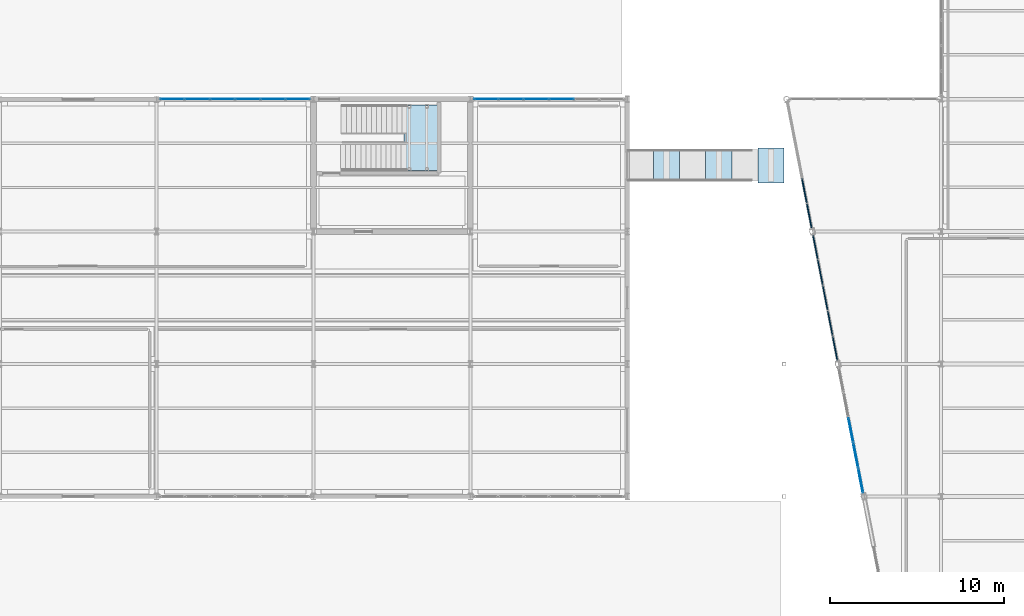
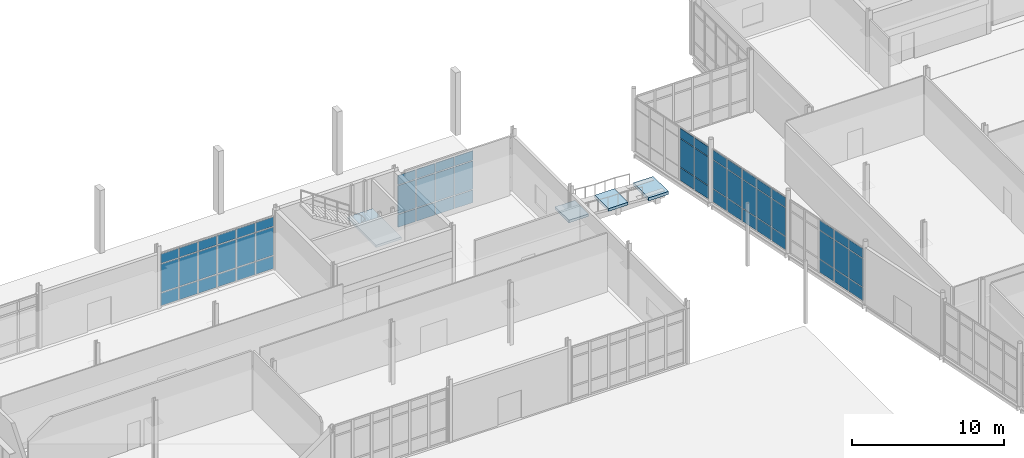
# One storey, part 130 of 161: 60 plates, 4 slabs, 7 elements without a shape of their own.
"""IFC4 building model written with IfcOpenShell, lengths in metres."""

import ifcopenshell
import ifcopenshell.guid

model = None  # the IFC model being written
_history = None  # IfcOwnerHistory: only IFC2X3 demands one
_inside = {}  # id of a spatial element -> (the spatial element, [elements in it])
_under = {}  # id of a project, library or spatial element -> (it, [spatial elements below it])
_declared = {}  # id of a project -> (the project, [libraries it declares])
_typed = {}  # id of a type object -> (the type object, [elements of that type])
_made_of = {}  # id of a material, layer set ... -> (it, [elements and type objects made of it])


def new_model(schema):
    """Start an empty IFC model of exactly this schema.

    Asked for "IFC4X3", IfcOpenShell would pick the latest addendum, in which some entities
    have other attributes; the version numbers below select the first issue.
    IFC2X3 requires an IfcOwnerHistory on every rooted entity: one is made here for all.
    """
    global model, _history
    if schema == "IFC4X3":
        model = ifcopenshell.file(schema_version=(4, 3, 0, 0))
    else:
        model = ifcopenshell.file(schema=schema)
    _inside.clear()
    _under.clear()
    _declared.clear()
    _typed.clear()
    _made_of.clear()
    _history = None
    if model.schema == "IFC2X3":
        org = make("IfcOrganization", Name="unknown")
        user = make(
            "IfcPersonAndOrganization",
            ThePerson=make("IfcPerson", FamilyName="unknown"),
            TheOrganization=org,
        )
        app = make(
            "IfcApplication",
            ApplicationDeveloper=org,
            Version="unknown",
            ApplicationFullName="unknown",
            ApplicationIdentifier="unknown",
        )
        _history = make(
            "IfcOwnerHistory",
            OwningUser=user,
            OwningApplication=app,
            ChangeAction="ADDED",
            CreationDate=0,
        )
    return model


def make(cls, **values):
    """One entity of the class cls with the attributes given. An attribute that is None is left unset."""
    return model.create_entity(
        cls, **{name: value for name, value in values.items() if value is not None}
    )


def rooted(cls, **values):
    """An entity with a GlobalId (a new one), such as an element, a storey or a relation."""
    return make(cls, GlobalId=ifcopenshell.guid.new(), OwnerHistory=_history, **values)


def si_unit(unit_type, name, prefix=None):
    """IfcSIUnit, for example si_unit("LENGTHUNIT", "METRE", prefix="MILLI")."""
    return make("IfcSIUnit", UnitType=unit_type, Prefix=prefix, Name=name)


def assignment(units):
    """IfcUnitAssignment: the units of a project."""
    return None if units is None else make("IfcUnitAssignment", Units=units)


def point(xyz):
    """IfcCartesianPoint."""
    return None if xyz is None else make("IfcCartesianPoint", Coordinates=xyz)


def direction(xyz):
    """IfcDirection."""
    return None if xyz is None else make("IfcDirection", DirectionRatios=xyz)


def frame(location, z_axis=None, x_axis=None):
    """IfcAxis2Placement3D, a coordinate frame: its origin and axes. An axis left out is left unset."""
    return make(
        "IfcAxis2Placement3D",
        Location=point(location),
        Axis=direction(z_axis),
        RefDirection=direction(x_axis),
    )


def frame_2d(location, x_axis=None):
    """IfcAxis2Placement2D, a coordinate frame in the plane: its origin and x axis."""
    return make(
        "IfcAxis2Placement2D", Location=point(location), RefDirection=direction(x_axis)
    )


def origin():
    """The frame at (0, 0, 0) with its axes left unset."""
    return frame((0.0, 0.0, 0.0))


def origin_2d():
    """The frame at (0, 0) in the plane with its x axis left unset."""
    return frame_2d((0.0, 0.0))


def place(relative_to, where):
    """IfcLocalPlacement: puts the frame where relative to a parent placement (None: the world)."""
    return make(
        "IfcLocalPlacement", PlacementRelTo=relative_to, RelativePlacement=where
    )


def context(
    kind, dimensions, precision=None, world=None, true_north=None, identifier=None
):
    """IfcGeometricRepresentationContext, for example the 3D "Model" context."""
    return make(
        "IfcGeometricRepresentationContext",
        ContextIdentifier=identifier,
        ContextType=kind,
        CoordinateSpaceDimension=dimensions,
        Precision=precision,
        WorldCoordinateSystem=world,
        TrueNorth=true_north,
    )


def subcontext(parent, identifier, kind, view, scale=None):
    """IfcGeometricRepresentationSubContext, for example "Body" below "Model"."""
    return make(
        "IfcGeometricRepresentationSubContext",
        ContextIdentifier=identifier,
        ContextType=kind,
        ParentContext=parent,
        TargetScale=scale,
        TargetView=view,
    )


def project(units=None, contexts=None):
    """IfcProject with its units and contexts."""
    return rooted(
        "IfcProject",
        Name="project",
        RepresentationContexts=contexts,
        UnitsInContext=assignment(units),
    )


def spatial(cls, under=None, at=None, **own):
    """A site, building, storey or space (cls), placed at a placement, below another one or the project."""
    s = rooted(cls, ObjectPlacement=at, **own)
    if under is not None:
        _under.setdefault(under.id(), (under, []))[1].append(s)
    return s


def polyline(points):
    """IfcPolyline through the points."""
    return make("IfcPolyline", Points=[point(p) for p in points])


def profile(cls, at=None, kind="AREA", **sizes):
    """A parametric profile (cls). Its sizes go by their IFC names, for example OverallWidth=200.0."""
    return make(cls, ProfileType=kind, Position=at, **sizes)


def rectangle(**sizes):
    """IfcRectangleProfileDef."""
    return profile("IfcRectangleProfileDef", **sizes)


def outline(outer, holes=None, kind="AREA"):
    """IfcArbitraryClosedProfileDef: a profile drawn as a closed curve; with holes, ...WithVoids."""
    if holes is None:
        return make("IfcArbitraryClosedProfileDef", ProfileType=kind, OuterCurve=outer)
    return make(
        "IfcArbitraryProfileDefWithVoids",
        ProfileType=kind,
        OuterCurve=outer,
        InnerCurves=holes,
    )


def extrude(swept, where, along, depth):
    """IfcExtrudedAreaSolid: the profile swept, set in the frame where, extruded along a direction by depth."""
    return make(
        "IfcExtrudedAreaSolid",
        SweptArea=swept,
        Position=where,
        ExtrudedDirection=direction(along),
        Depth=depth,
    )


def shape(context_of_items, identifier, shape_type, items):
    """IfcShapeRepresentation: the items that make up one representation, for example the "Body"."""
    return make(
        "IfcShapeRepresentation",
        ContextOfItems=context_of_items,
        RepresentationIdentifier=identifier,
        RepresentationType=shape_type,
        Items=items,
    )


def material(Name=None, Category=None):
    """IfcMaterial."""
    return make("IfcMaterial", Name=Name, Category=Category)


def layer(
    of_material, thickness, ventilated=None, Name=None, Category=None, Priority=None
):
    """IfcMaterialLayer: one layer of a wall or slab, of a material (None: an air gap)."""
    return make(
        "IfcMaterialLayer",
        Material=of_material,
        LayerThickness=thickness,
        IsVentilated=ventilated,
        Name=Name,
        Category=Category,
        Priority=Priority,
    )


def layer_set(layers, Name=None):
    """IfcMaterialLayerSet."""
    return make("IfcMaterialLayerSet", MaterialLayers=layers, LayerSetName=Name)


def made_of(thing, what):
    """Note that an element or type object is made of a material, layer set ...; save() writes the relation."""
    if what is not None:
        _made_of.setdefault(what.id(), (what, []))[1].append(thing)
    return thing


def type_object(cls, material=None, **own):
    """A type object (cls), such as IfcWallType, which elements share."""
    return made_of(rooted(cls, **own), material)


def element(
    cls,
    number,
    at=None,
    inside=None,
    cuts=None,
    type_object=None,
    material=None,
    context=None,
    identifier="Body",
    shape_type=None,
    held_by="IfcProductDefinitionShape",
    body=None,
    shapes=None,
    **own,
):
    """One element of the class cls, such as IfcWall. Its Tag is "e" and its number.

    at: its placement. inside: the storey or other place that contains it. cuts: it is an
    opening in that element (IfcRelVoidsElement). A single representation is given by context,
    identifier, shape_type and body (its items); several are given by shapes. held_by: the class
    of the entity that holds the representations. save() writes the other relations.
    """
    e = rooted(cls, Tag="e%d" % number, ObjectPlacement=at, **own)
    if body is not None:
        shapes = [shape(context, identifier, shape_type, body)]
    if shapes is not None:
        e.Representation = make(held_by, Representations=shapes)
    if inside is not None:
        _inside.setdefault(inside.id(), (inside, []))[1].append(e)
    if cuts is not None:
        rooted(
            "IfcRelVoidsElement", RelatingBuildingElement=cuts, RelatedOpeningElement=e
        )
    if type_object is not None:
        _typed.setdefault(type_object.id(), (type_object, []))[1].append(e)
    return made_of(e, material)


def aggregate(whole, parts):
    """IfcRelAggregates: a whole, such as a stair, and the parts it consists of."""
    return rooted("IfcRelAggregates", RelatingObject=whole, RelatedObjects=parts)


def save(model, path):
    """Write the relations noted so far, then the file.

    IfcRelAggregates (storeys below a building ...), IfcRelContainedInSpatialStructure (elements
    in a storey), IfcRelDefinesByType, IfcRelAssociatesMaterial and IfcRelDeclares: one each for
    every whole, place, type object, material and project.
    """
    for whole, parts in _under.values():
        aggregate(whole, parts)
    for where, things in _inside.values():
        rooted(
            "IfcRelContainedInSpatialStructure",
            RelatedElements=things,
            RelatingStructure=where,
        )
    for kind, things in _typed.values():
        rooted("IfcRelDefinesByType", RelatedObjects=things, RelatingType=kind)
    for what, things in _made_of.values():
        rooted("IfcRelAssociatesMaterial", RelatedObjects=things, RelatingMaterial=what)
    for by, libraries in _declared.values():
        rooted("IfcRelDeclares", RelatingContext=by, RelatedDefinitions=libraries)
    model.write(path)


model = new_model("IFC4")

# Units and contexts
model_context = context("Model", 3, precision=1e-05, world=origin(), true_north=direction((0.0, 1.0)))
body_context = subcontext(model_context, "Body", "Model", "MODEL_VIEW")
ifc_project = project(units=[si_unit("LENGTHUNIT", "METRE"), si_unit("AREAUNIT", "SQUARE_METRE"), si_unit("VOLUMEUNIT", "CUBIC_METRE"), si_unit("PLANEANGLEUNIT", "RADIAN"), si_unit("MASSUNIT", "GRAM", prefix="KILO")], contexts=[model_context])

# Site, building, storey
site_placement = place(None, origin())
site = spatial("IfcSite", under=ifc_project, at=site_placement, CompositionType="ELEMENT")
building_placement = place(site_placement, origin())
building = spatial("IfcBuilding", under=site, at=building_placement, Name="Caisbarro Railhouse Central Library", CompositionType="ELEMENT")
storey_placement = place(building_placement, origin())
storey = spatial("IfcBuildingStorey", under=building, at=storey_placement, Name="L00", CompositionType="ELEMENT", Elevation=0.0)

# Curtain wall, plates
ifc_material_1 = material(Name="Anodised architectural aluminium", Category="aluminium")
curtain_wall_type_1 = type_object("IfcCurtainWallType", Name="CW-CW03", PredefinedType="NOTDEFINED", material=ifc_material_1)
curtain_wall_1_placement = place(storey_placement, origin())
curtain_wall_1 = element("IfcCurtainWall", 1, at=curtain_wall_1_placement, inside=storey, type_object=curtain_wall_type_1, Name="CW03 curtain wall L00 #169", PredefinedType="NOTDEFINED")
ifc_material_2 = material(Name="Double low-e laminated solar-control glass", Category="glass")
ifc_layer_1 = layer(ifc_material_2, 0.0380859375, Name="Double low-e laminated solar-control glass")
ifc_layer_set_1 = layer_set([ifc_layer_1], Name="Double low-e laminated solar-control glass")
plate_type_1 = type_object("IfcPlateType", Name="CWP-CP38", PredefinedType="CURTAIN_PANEL", material=ifc_layer_set_1)
plate_1_placement = place(storey_placement, frame((72.899658203125, 106.39990234375, 0.0751953125), z_axis=(0.0, 0.0, 1.0), x_axis=(1.0, 0.0, 0.0)))
plate_1 = element("IfcPlate", 2, at=plate_1_placement, type_object=plate_type_1, Name="CW03 panel 1.1", PredefinedType="CURTAIN_PANEL", context=body_context, shape_type="SweptSolid", body=[
    extrude(rectangle(XDim=1.34912109375, YDim=0.0380859375, at=origin_2d()), origin(), (0.0, 0.0, 1.0), 1.007568359375),
])
plate_2_placement = place(storey_placement, frame((72.899658203125, 106.39990234375, 1.157470703125), z_axis=(0.0, 0.0, 1.0), x_axis=(1.0, 0.0, 0.0)))
plate_2 = element("IfcPlate", 3, at=plate_2_placement, type_object=plate_type_1, Name="CW03 panel 1.2", PredefinedType="CURTAIN_PANEL", context=body_context, shape_type="SweptSolid", body=[
    extrude(rectangle(XDim=1.34912109375, YDim=0.0380859375, at=origin_2d()), origin(), (0.0, 0.0, 1.0), 2.2548828125),
])
plate_3_placement = place(storey_placement, frame((72.899658203125, 106.39990234375, 3.4873046875), z_axis=(0.0, 0.0, 1.0), x_axis=(1.0, 0.0, 0.0)))
plate_3 = element("IfcPlate", 4, at=plate_3_placement, type_object=plate_type_1, Name="CW03 panel 1.3", PredefinedType="CURTAIN_PANEL", context=body_context, shape_type="SweptSolid", body=[
    extrude(rectangle(XDim=1.34912109375, YDim=0.0380859375, at=origin_2d()), origin(), (0.0, 0.0, 1.0), 0.737548828125),
])
plate_4_placement = place(storey_placement, frame((74.330078125, 106.39990234375, 0.0751953125), z_axis=(0.0, 0.0, 1.0), x_axis=(1.0, 0.0, 0.0)))
plate_4 = element("IfcPlate", 5, at=plate_4_placement, type_object=plate_type_1, Name="CW03 panel 2.1", PredefinedType="CURTAIN_PANEL", context=body_context, shape_type="SweptSolid", body=[
    extrude(rectangle(XDim=1.381591796875, YDim=0.0380859375, at=origin_2d()), origin(), (0.0, 0.0, 1.0), 1.007568359375),
])
plate_5_placement = place(storey_placement, frame((74.330078125, 106.39990234375, 1.157470703125), z_axis=(0.0, 0.0, 1.0), x_axis=(1.0, 0.0, 0.0)))
plate_5 = element("IfcPlate", 6, at=plate_5_placement, type_object=plate_type_1, Name="CW03 panel 2.2", PredefinedType="CURTAIN_PANEL", context=body_context, shape_type="SweptSolid", body=[
    extrude(rectangle(XDim=1.381591796875, YDim=0.0380859375, at=origin_2d()), origin(), (0.0, 0.0, 1.0), 2.2548828125),
])
plate_6_placement = place(storey_placement, frame((74.330078125, 106.39990234375, 3.4873046875), z_axis=(0.0, 0.0, 1.0), x_axis=(1.0, 0.0, 0.0)))
plate_6 = element("IfcPlate", 7, at=plate_6_placement, type_object=plate_type_1, Name="CW03 panel 2.3", PredefinedType="CURTAIN_PANEL", context=body_context, shape_type="SweptSolid", body=[
    extrude(rectangle(XDim=1.381591796875, YDim=0.0380859375, at=origin_2d()), origin(), (0.0, 0.0, 1.0), 0.737548828125),
])
plate_7_placement = place(storey_placement, frame((75.776611328125, 106.39990234375, 0.0751953125), z_axis=(0.0, 0.0, 1.0), x_axis=(1.0, 0.0, 0.0)))
plate_7 = element("IfcPlate", 8, at=plate_7_placement, type_object=plate_type_1, Name="CW03 panel 3.1", PredefinedType="CURTAIN_PANEL", context=body_context, shape_type="SweptSolid", body=[
    extrude(rectangle(XDim=1.381591796875, YDim=0.0380859375, at=origin_2d()), origin(), (0.0, 0.0, 1.0), 1.007568359375),
])
plate_8_placement = place(storey_placement, frame((75.776611328125, 106.39990234375, 1.157470703125), z_axis=(0.0, 0.0, 1.0), x_axis=(1.0, 0.0, 0.0)))
plate_8 = element("IfcPlate", 9, at=plate_8_placement, type_object=plate_type_1, Name="CW03 panel 3.2", PredefinedType="CURTAIN_PANEL", context=body_context, shape_type="SweptSolid", body=[
    extrude(rectangle(XDim=1.381591796875, YDim=0.0380859375, at=origin_2d()), origin(), (0.0, 0.0, 1.0), 2.2548828125),
])
plate_9_placement = place(storey_placement, frame((75.776611328125, 106.39990234375, 3.4873046875), z_axis=(0.0, 0.0, 1.0), x_axis=(1.0, 0.0, 0.0)))
plate_9 = element("IfcPlate", 10, at=plate_9_placement, type_object=plate_type_1, Name="CW03 panel 3.3", PredefinedType="CURTAIN_PANEL", context=body_context, shape_type="SweptSolid", body=[
    extrude(rectangle(XDim=1.381591796875, YDim=0.0380859375, at=origin_2d()), origin(), (0.0, 0.0, 1.0), 0.737548828125),
])
plate_10_placement = place(storey_placement, frame((77.223388671875, 106.39990234375, 0.0751953125), z_axis=(0.0, 0.0, 1.0), x_axis=(1.0, 0.0, 0.0)))
plate_10 = element("IfcPlate", 11, at=plate_10_placement, type_object=plate_type_1, Name="CW03 panel 4.1", PredefinedType="CURTAIN_PANEL", context=body_context, shape_type="SweptSolid", body=[
    extrude(rectangle(XDim=1.381591796875, YDim=0.0380859375, at=origin_2d()), origin(), (0.0, 0.0, 1.0), 1.007568359375),
])
plate_11_placement = place(storey_placement, frame((77.223388671875, 106.39990234375, 1.157470703125), z_axis=(0.0, 0.0, 1.0), x_axis=(1.0, 0.0, 0.0)))
plate_11 = element("IfcPlate", 12, at=plate_11_placement, type_object=plate_type_1, Name="CW03 panel 4.2", PredefinedType="CURTAIN_PANEL", context=body_context, shape_type="SweptSolid", body=[
    extrude(rectangle(XDim=1.381591796875, YDim=0.0380859375, at=origin_2d()), origin(), (0.0, 0.0, 1.0), 2.2548828125),
])
plate_12_placement = place(storey_placement, frame((77.223388671875, 106.39990234375, 3.4873046875), z_axis=(0.0, 0.0, 1.0), x_axis=(1.0, 0.0, 0.0)))
plate_12 = element("IfcPlate", 13, at=plate_12_placement, type_object=plate_type_1, Name="CW03 panel 4.3", PredefinedType="CURTAIN_PANEL", context=body_context, shape_type="SweptSolid", body=[
    extrude(rectangle(XDim=1.381591796875, YDim=0.0380859375, at=origin_2d()), origin(), (0.0, 0.0, 1.0), 0.737548828125),
])
plate_13_placement = place(storey_placement, frame((78.669921875, 106.39990234375, 0.0751953125), z_axis=(0.0, 0.0, 1.0), x_axis=(1.0, 0.0, 0.0)))
plate_13 = element("IfcPlate", 14, at=plate_13_placement, type_object=plate_type_1, Name="CW03 panel 5.1", PredefinedType="CURTAIN_PANEL", context=body_context, shape_type="SweptSolid", body=[
    extrude(rectangle(XDim=1.381591796875, YDim=0.0380859375, at=origin_2d()), origin(), (0.0, 0.0, 1.0), 1.007568359375),
])
plate_14_placement = place(storey_placement, frame((78.669921875, 106.39990234375, 1.157470703125), z_axis=(0.0, 0.0, 1.0), x_axis=(1.0, 0.0, 0.0)))
plate_14 = element("IfcPlate", 15, at=plate_14_placement, type_object=plate_type_1, Name="CW03 panel 5.2", PredefinedType="CURTAIN_PANEL", context=body_context, shape_type="SweptSolid", body=[
    extrude(rectangle(XDim=1.381591796875, YDim=0.0380859375, at=origin_2d()), origin(), (0.0, 0.0, 1.0), 2.2548828125),
])
plate_15_placement = place(storey_placement, frame((78.669921875, 106.39990234375, 3.4873046875), z_axis=(0.0, 0.0, 1.0), x_axis=(1.0, 0.0, 0.0)))
plate_15 = element("IfcPlate", 16, at=plate_15_placement, type_object=plate_type_1, Name="CW03 panel 5.3", PredefinedType="CURTAIN_PANEL", context=body_context, shape_type="SweptSolid", body=[
    extrude(rectangle(XDim=1.381591796875, YDim=0.0380859375, at=origin_2d()), origin(), (0.0, 0.0, 1.0), 0.737548828125),
])
plate_16_placement = place(storey_placement, frame((80.100341796875, 106.39990234375, 0.0751953125), z_axis=(0.0, 0.0, 1.0), x_axis=(1.0, 0.0, 0.0)))
plate_16 = element("IfcPlate", 17, at=plate_16_placement, type_object=plate_type_1, Name="CW03 panel 6.1", PredefinedType="CURTAIN_PANEL", context=body_context, shape_type="SweptSolid", body=[
    extrude(rectangle(XDim=1.34912109375, YDim=0.0380859375, at=origin_2d()), origin(), (0.0, 0.0, 1.0), 1.007568359375),
])
plate_17_placement = place(storey_placement, frame((80.100341796875, 106.39990234375, 1.157470703125), z_axis=(0.0, 0.0, 1.0), x_axis=(1.0, 0.0, 0.0)))
plate_17 = element("IfcPlate", 18, at=plate_17_placement, type_object=plate_type_1, Name="CW03 panel 6.2", PredefinedType="CURTAIN_PANEL", context=body_context, shape_type="SweptSolid", body=[
    extrude(rectangle(XDim=1.34912109375, YDim=0.0380859375, at=origin_2d()), origin(), (0.0, 0.0, 1.0), 2.2548828125),
])
plate_18_placement = place(storey_placement, frame((80.100341796875, 106.39990234375, 3.4873046875), z_axis=(0.0, 0.0, 1.0), x_axis=(1.0, 0.0, 0.0)))
plate_18 = element("IfcPlate", 19, at=plate_18_placement, type_object=plate_type_1, Name="CW03 panel 6.3", PredefinedType="CURTAIN_PANEL", context=body_context, shape_type="SweptSolid", body=[
    extrude(rectangle(XDim=1.34912109375, YDim=0.0380859375, at=origin_2d()), origin(), (0.0, 0.0, 1.0), 0.737548828125),
])
aggregate(curtain_wall_1, [plate_1, plate_2, plate_3, plate_4, plate_5, plate_6, plate_7, plate_8, plate_9, plate_10, plate_11, plate_12, plate_13, plate_14, plate_15, plate_16, plate_17, plate_18])

curtain_wall_2_placement = place(storey_placement, origin())
curtain_wall_2 = element("IfcCurtainWall", 20, at=curtain_wall_2_placement, inside=storey, type_object=curtain_wall_type_1, Name="CW03 curtain wall L00 #171", PredefinedType="NOTDEFINED")
plate_19_placement = place(storey_placement, frame((90.899658203125, 106.39990234375, 0.0751953125), z_axis=(0.0, 0.0, 1.0), x_axis=(1.0, 0.0, 0.0)))
plate_19 = element("IfcPlate", 21, at=plate_19_placement, type_object=plate_type_1, Name="CW03 panel 1.1", PredefinedType="CURTAIN_PANEL", context=body_context, shape_type="SweptSolid", body=[
    extrude(rectangle(XDim=1.34912109375, YDim=0.0380859375, at=origin_2d()), origin(), (0.0, 0.0, 1.0), 1.007568359375),
])
plate_20_placement = place(storey_placement, frame((90.899658203125, 106.39990234375, 1.157470703125), z_axis=(0.0, 0.0, 1.0), x_axis=(1.0, 0.0, 0.0)))
plate_20 = element("IfcPlate", 22, at=plate_20_placement, type_object=plate_type_1, Name="CW03 panel 1.2", PredefinedType="CURTAIN_PANEL", context=body_context, shape_type="SweptSolid", body=[
    extrude(rectangle(XDim=1.34912109375, YDim=0.0380859375, at=origin_2d()), origin(), (0.0, 0.0, 1.0), 2.2548828125),
])
plate_21_placement = place(storey_placement, frame((90.899658203125, 106.39990234375, 3.4873046875), z_axis=(0.0, 0.0, 1.0), x_axis=(1.0, 0.0, 0.0)))
plate_21 = element("IfcPlate", 23, at=plate_21_placement, type_object=plate_type_1, Name="CW03 panel 1.3", PredefinedType="CURTAIN_PANEL", context=body_context, shape_type="SweptSolid", body=[
    extrude(rectangle(XDim=1.34912109375, YDim=0.0380859375, at=origin_2d()), origin(), (0.0, 0.0, 1.0), 0.737548828125),
])
plate_22_placement = place(storey_placement, frame((92.330078125, 106.39990234375, 0.0751953125), z_axis=(0.0, 0.0, 1.0), x_axis=(1.0, 0.0, 0.0)))
plate_22 = element("IfcPlate", 24, at=plate_22_placement, type_object=plate_type_1, Name="CW03 panel 2.1", PredefinedType="CURTAIN_PANEL", context=body_context, shape_type="SweptSolid", body=[
    extrude(rectangle(XDim=1.381591796875, YDim=0.0380859375, at=origin_2d()), origin(), (0.0, 0.0, 1.0), 1.007568359375),
])
plate_23_placement = place(storey_placement, frame((92.330078125, 106.39990234375, 1.157470703125), z_axis=(0.0, 0.0, 1.0), x_axis=(1.0, 0.0, 0.0)))
plate_23 = element("IfcPlate", 25, at=plate_23_placement, type_object=plate_type_1, Name="CW03 panel 2.2", PredefinedType="CURTAIN_PANEL", context=body_context, shape_type="SweptSolid", body=[
    extrude(rectangle(XDim=1.381591796875, YDim=0.0380859375, at=origin_2d()), origin(), (0.0, 0.0, 1.0), 2.2548828125),
])
plate_24_placement = place(storey_placement, frame((92.330078125, 106.39990234375, 3.4873046875), z_axis=(0.0, 0.0, 1.0), x_axis=(1.0, 0.0, 0.0)))
plate_24 = element("IfcPlate", 26, at=plate_24_placement, type_object=plate_type_1, Name="CW03 panel 2.3", PredefinedType="CURTAIN_PANEL", context=body_context, shape_type="SweptSolid", body=[
    extrude(rectangle(XDim=1.381591796875, YDim=0.0380859375, at=origin_2d()), origin(), (0.0, 0.0, 1.0), 0.737548828125),
])
plate_25_placement = place(storey_placement, frame((93.776611328125, 106.39990234375, 0.0751953125), z_axis=(0.0, 0.0, 1.0), x_axis=(1.0, 0.0, 0.0)))
plate_25 = element("IfcPlate", 27, at=plate_25_placement, type_object=plate_type_1, Name="CW03 panel 3.1", PredefinedType="CURTAIN_PANEL", context=body_context, shape_type="SweptSolid", body=[
    extrude(rectangle(XDim=1.381591796875, YDim=0.0380859375, at=origin_2d()), origin(), (0.0, 0.0, 1.0), 1.007568359375),
])
plate_26_placement = place(storey_placement, frame((93.776611328125, 106.39990234375, 1.157470703125), z_axis=(0.0, 0.0, 1.0), x_axis=(1.0, 0.0, 0.0)))
plate_26 = element("IfcPlate", 28, at=plate_26_placement, type_object=plate_type_1, Name="CW03 panel 3.2", PredefinedType="CURTAIN_PANEL", context=body_context, shape_type="SweptSolid", body=[
    extrude(rectangle(XDim=1.381591796875, YDim=0.0380859375, at=origin_2d()), origin(), (0.0, 0.0, 1.0), 2.2548828125),
])
plate_27_placement = place(storey_placement, frame((93.776611328125, 106.39990234375, 3.4873046875), z_axis=(0.0, 0.0, 1.0), x_axis=(1.0, 0.0, 0.0)))
plate_27 = element("IfcPlate", 29, at=plate_27_placement, type_object=plate_type_1, Name="CW03 panel 3.3", PredefinedType="CURTAIN_PANEL", context=body_context, shape_type="SweptSolid", body=[
    extrude(rectangle(XDim=1.381591796875, YDim=0.0380859375, at=origin_2d()), origin(), (0.0, 0.0, 1.0), 0.737548828125),
])
plate_28_placement = place(storey_placement, frame((95.223388671875, 106.39990234375, 0.0751953125), z_axis=(0.0, 0.0, 1.0), x_axis=(1.0, 0.0, 0.0)))
plate_28 = element("IfcPlate", 30, at=plate_28_placement, type_object=plate_type_1, Name="CW03 panel 4.1", PredefinedType="CURTAIN_PANEL", context=body_context, shape_type="SweptSolid", body=[
    extrude(rectangle(XDim=1.381591796875, YDim=0.0380859375, at=origin_2d()), origin(), (0.0, 0.0, 1.0), 1.007568359375),
])
plate_29_placement = place(storey_placement, frame((95.223388671875, 106.39990234375, 1.157470703125), z_axis=(0.0, 0.0, 1.0), x_axis=(1.0, 0.0, 0.0)))
plate_29 = element("IfcPlate", 31, at=plate_29_placement, type_object=plate_type_1, Name="CW03 panel 4.2", PredefinedType="CURTAIN_PANEL", context=body_context, shape_type="SweptSolid", body=[
    extrude(rectangle(XDim=1.381591796875, YDim=0.0380859375, at=origin_2d()), origin(), (0.0, 0.0, 1.0), 2.2548828125),
])
plate_30_placement = place(storey_placement, frame((95.223388671875, 106.39990234375, 3.4873046875), z_axis=(0.0, 0.0, 1.0), x_axis=(1.0, 0.0, 0.0)))
plate_30 = element("IfcPlate", 32, at=plate_30_placement, type_object=plate_type_1, Name="CW03 panel 4.3", PredefinedType="CURTAIN_PANEL", context=body_context, shape_type="SweptSolid", body=[
    extrude(rectangle(XDim=1.381591796875, YDim=0.0380859375, at=origin_2d()), origin(), (0.0, 0.0, 1.0), 0.737548828125),
])
aggregate(curtain_wall_2, [plate_19, plate_20, plate_21, plate_22, plate_23, plate_24, plate_25, plate_26, plate_27, plate_28, plate_29, plate_30])

curtain_wall_type_2 = type_object("IfcCurtainWallType", Name="CW-CW01", PredefinedType="NOTDEFINED", material=ifc_material_1)
curtain_wall_3_placement = place(storey_placement, origin())
curtain_wall_3 = element("IfcCurtainWall", 33, at=curtain_wall_3_placement, inside=storey, type_object=curtain_wall_type_2, Name="CW01 curtain wall L00 #98", PredefinedType="NOTDEFINED")
ifc_layer_2 = layer(ifc_material_2, 0.048095703125, Name="Double low-e laminated solar-control glass")
ifc_layer_set_2 = layer_set([ifc_layer_2], Name="Double low-e laminated solar-control glass")
plate_type_2 = type_object("IfcPlateType", Name="CWP-CP48", PredefinedType="CURTAIN_PANEL", material=ifc_layer_set_2)
plate_31_placement = place(storey_placement, frame((112.392333984375, 84.504150390625, 0.06494140625), z_axis=(0.0, 0.0, 1.0), x_axis=(-0.190780945369, 0.981632635401, 0.0)))
plate_31 = element("IfcPlate", 34, at=plate_31_placement, type_object=plate_type_2, Name="CW01 panel 1.1", PredefinedType="CURTAIN_PANEL", context=body_context, shape_type="SweptSolid", body=[
    extrude(rectangle(XDim=1.371826171875, YDim=0.048095703125, at=origin_2d()), origin(), (0.0, 0.0, 1.0), 1.0224609375),
])
plate_32_placement = place(storey_placement, frame((112.392333984375, 84.504150390625, 1.15234375), z_axis=(0.0, 0.0, 1.0), x_axis=(-0.190780945369, 0.981632635401, 0.0)))
plate_32 = element("IfcPlate", 35, at=plate_32_placement, type_object=plate_type_2, Name="CW01 panel 1.2", PredefinedType="CURTAIN_PANEL", context=body_context, shape_type="SweptSolid", body=[
    extrude(rectangle(XDim=1.371826171875, YDim=0.048095703125, at=origin_2d()), origin(), (0.0, 0.0, 1.0), 2.264892578125),
])
plate_33_placement = place(storey_placement, frame((112.392333984375, 84.504150390625, 3.482421875), z_axis=(0.0, 0.0, 1.0), x_axis=(-0.190780945369, 0.981632635401, 0.0)))
plate_33 = element("IfcPlate", 36, at=plate_33_placement, type_object=plate_type_2, Name="CW01 panel 1.3", PredefinedType="CURTAIN_PANEL", context=body_context, shape_type="SweptSolid", body=[
    extrude(rectangle(XDim=1.371826171875, YDim=0.048095703125, at=origin_2d()), origin(), (0.0, 0.0, 1.0), 0.75244140625),
])
plate_34_placement = place(storey_placement, frame((112.11279296875, 85.94287109375, 0.06494140625), z_axis=(0.0, 0.0, 1.0), x_axis=(-0.190780945369, 0.981632635401, 0.0)))
plate_34 = element("IfcPlate", 37, at=plate_34_placement, type_object=plate_type_2, Name="CW01 panel 2.1", PredefinedType="CURTAIN_PANEL", context=body_context, shape_type="SweptSolid", body=[
    extrude(rectangle(XDim=1.409423828125, YDim=0.048095703125, at=origin_2d()), origin(), (0.0, 0.0, 1.0), 1.0224609375),
])
plate_35_placement = place(storey_placement, frame((112.11279296875, 85.94287109375, 1.15234375), z_axis=(0.0, 0.0, 1.0), x_axis=(-0.190780945369, 0.981632635401, 0.0)))
plate_35 = element("IfcPlate", 38, at=plate_35_placement, type_object=plate_type_2, Name="CW01 panel 2.2", PredefinedType="CURTAIN_PANEL", context=body_context, shape_type="SweptSolid", body=[
    extrude(rectangle(XDim=1.409423828125, YDim=0.048095703125, at=origin_2d()), origin(), (0.0, 0.0, 1.0), 2.264892578125),
])
plate_36_placement = place(storey_placement, frame((112.11279296875, 85.94287109375, 3.482421875), z_axis=(0.0, 0.0, 1.0), x_axis=(-0.190780945369, 0.981632635401, 0.0)))
plate_36 = element("IfcPlate", 39, at=plate_36_placement, type_object=plate_type_2, Name="CW01 panel 2.3", PredefinedType="CURTAIN_PANEL", context=body_context, shape_type="SweptSolid", body=[
    extrude(rectangle(XDim=1.409423828125, YDim=0.048095703125, at=origin_2d()), origin(), (0.0, 0.0, 1.0), 0.75244140625),
])
plate_37_placement = place(storey_placement, frame((111.82958984375, 87.39990234375, 0.06494140625), z_axis=(0.0, 0.0, 1.0), x_axis=(-0.190780945369, 0.981632635401, 0.0)))
plate_37 = element("IfcPlate", 40, at=plate_37_placement, type_object=plate_type_2, Name="CW01 panel 3.1", PredefinedType="CURTAIN_PANEL", context=body_context, shape_type="SweptSolid", body=[
    extrude(rectangle(XDim=1.409423828125, YDim=0.048095703125, at=origin_2d()), origin(), (0.0, 0.0, 1.0), 1.0224609375),
])
plate_38_placement = place(storey_placement, frame((111.82958984375, 87.39990234375, 1.15234375), z_axis=(0.0, 0.0, 1.0), x_axis=(-0.190780945369, 0.981632635401, 0.0)))
plate_38 = element("IfcPlate", 41, at=plate_38_placement, type_object=plate_type_2, Name="CW01 panel 3.2", PredefinedType="CURTAIN_PANEL", context=body_context, shape_type="SweptSolid", body=[
    extrude(rectangle(XDim=1.409423828125, YDim=0.048095703125, at=origin_2d()), origin(), (0.0, 0.0, 1.0), 2.264892578125),
])
plate_39_placement = place(storey_placement, frame((111.82958984375, 87.39990234375, 3.482421875), z_axis=(0.0, 0.0, 1.0), x_axis=(-0.190780945369, 0.981632635401, 0.0)))
plate_39 = element("IfcPlate", 42, at=plate_39_placement, type_object=plate_type_2, Name="CW01 panel 3.3", PredefinedType="CURTAIN_PANEL", context=body_context, shape_type="SweptSolid", body=[
    extrude(rectangle(XDim=1.409423828125, YDim=0.048095703125, at=origin_2d()), origin(), (0.0, 0.0, 1.0), 0.75244140625),
])
aggregate(curtain_wall_3, [plate_31, plate_32, plate_33, plate_34, plate_35, plate_36, plate_37, plate_38, plate_39])

curtain_wall_4_placement = place(storey_placement, origin())
curtain_wall_4 = element("IfcCurtainWall", 43, at=curtain_wall_4_placement, inside=storey, type_object=curtain_wall_type_2, Name="CW01 curtain wall L00 #99", PredefinedType="NOTDEFINED")
ifc_layer_3 = layer(ifc_material_2, 0.05810546875, Name="Double low-e laminated solar-control glass")
ifc_layer_set_3 = layer_set([ifc_layer_3], Name="Double low-e laminated solar-control glass")
plate_type_3 = type_object("IfcPlateType", Name="CWP-CP58", PredefinedType="CURTAIN_PANEL", material=ifc_layer_set_3)
plate_40_placement = place(storey_placement, frame((110.915283203125, 92.10400390625, 0.06494140625), z_axis=(0.0, 0.0, 1.0), x_axis=(-0.190780945369, 0.981632635401, 0.0)))
plate_40 = element("IfcPlate", 44, at=plate_40_placement, type_object=plate_type_3, Name="CW01 panel 1.1", PredefinedType="CURTAIN_PANEL", context=body_context, shape_type="SweptSolid", body=[
    extrude(rectangle(XDim=1.371826171875, YDim=0.05810546875, at=origin_2d()), origin(), (0.0, 0.0, 1.0), 1.0224609375),
])
plate_41_placement = place(storey_placement, frame((110.915283203125, 92.10400390625, 1.15234375), z_axis=(0.0, 0.0, 1.0), x_axis=(-0.190780945369, 0.981632635401, 0.0)))
plate_41 = element("IfcPlate", 45, at=plate_41_placement, type_object=plate_type_3, Name="CW01 panel 1.2", PredefinedType="CURTAIN_PANEL", context=body_context, shape_type="SweptSolid", body=[
    extrude(rectangle(XDim=1.371826171875, YDim=0.05810546875, at=origin_2d()), origin(), (0.0, 0.0, 1.0), 2.264892578125),
])
plate_42_placement = place(storey_placement, frame((110.915283203125, 92.10400390625, 3.482421875), z_axis=(0.0, 0.0, 1.0), x_axis=(-0.190780945369, 0.981632635401, 0.0)))
plate_42 = element("IfcPlate", 46, at=plate_42_placement, type_object=plate_type_3, Name="CW01 panel 1.3", PredefinedType="CURTAIN_PANEL", context=body_context, shape_type="SweptSolid", body=[
    extrude(rectangle(XDim=1.371826171875, YDim=0.05810546875, at=origin_2d()), origin(), (0.0, 0.0, 1.0), 0.75244140625),
])
plate_43_placement = place(storey_placement, frame((110.6357421875, 93.542724609375, 0.06494140625), z_axis=(0.0, 0.0, 1.0), x_axis=(-0.190780945369, 0.981632635401, 0.0)))
plate_43 = element("IfcPlate", 47, at=plate_43_placement, type_object=plate_type_3, Name="CW01 panel 2.1", PredefinedType="CURTAIN_PANEL", context=body_context, shape_type="SweptSolid", body=[
    extrude(rectangle(XDim=1.409423828125, YDim=0.05810546875, at=origin_2d()), origin(), (0.0, 0.0, 1.0), 1.0224609375),
])
plate_44_placement = place(storey_placement, frame((110.6357421875, 93.542724609375, 1.15234375), z_axis=(0.0, 0.0, 1.0), x_axis=(-0.190780945369, 0.981632635401, 0.0)))
plate_44 = element("IfcPlate", 48, at=plate_44_placement, type_object=plate_type_3, Name="CW01 panel 2.2", PredefinedType="CURTAIN_PANEL", context=body_context, shape_type="SweptSolid", body=[
    extrude(rectangle(XDim=1.409423828125, YDim=0.05810546875, at=origin_2d()), origin(), (0.0, 0.0, 1.0), 2.264892578125),
])
plate_45_placement = place(storey_placement, frame((110.6357421875, 93.542724609375, 3.482421875), z_axis=(0.0, 0.0, 1.0), x_axis=(-0.190780945369, 0.981632635401, 0.0)))
plate_45 = element("IfcPlate", 49, at=plate_45_placement, type_object=plate_type_3, Name="CW01 panel 2.3", PredefinedType="CURTAIN_PANEL", context=body_context, shape_type="SweptSolid", body=[
    extrude(rectangle(XDim=1.409423828125, YDim=0.05810546875, at=origin_2d()), origin(), (0.0, 0.0, 1.0), 0.75244140625),
])
plate_46_placement = place(storey_placement, frame((110.3525390625, 95.0, 0.06494140625), z_axis=(0.0, 0.0, 1.0), x_axis=(-0.190780945369, 0.981632635401, 0.0)))
plate_46 = element("IfcPlate", 50, at=plate_46_placement, type_object=plate_type_3, Name="CW01 panel 3.1", PredefinedType="CURTAIN_PANEL", context=body_context, shape_type="SweptSolid", body=[
    extrude(rectangle(XDim=1.409423828125, YDim=0.05810546875, at=origin_2d()), origin(), (0.0, 0.0, 1.0), 1.0224609375),
])
plate_47_placement = place(storey_placement, frame((110.3525390625, 95.0, 1.15234375), z_axis=(0.0, 0.0, 1.0), x_axis=(-0.190780945369, 0.981632635401, 0.0)))
plate_47 = element("IfcPlate", 51, at=plate_47_placement, type_object=plate_type_3, Name="CW01 panel 3.2", PredefinedType="CURTAIN_PANEL", context=body_context, shape_type="SweptSolid", body=[
    extrude(rectangle(XDim=1.409423828125, YDim=0.05810546875, at=origin_2d()), origin(), (0.0, 0.0, 1.0), 2.264892578125),
])
plate_48_placement = place(storey_placement, frame((110.3525390625, 95.0, 3.482421875), z_axis=(0.0, 0.0, 1.0), x_axis=(-0.190780945369, 0.981632635401, 0.0)))
plate_48 = element("IfcPlate", 52, at=plate_48_placement, type_object=plate_type_3, Name="CW01 panel 3.3", PredefinedType="CURTAIN_PANEL", context=body_context, shape_type="SweptSolid", body=[
    extrude(rectangle(XDim=1.409423828125, YDim=0.05810546875, at=origin_2d()), origin(), (0.0, 0.0, 1.0), 0.75244140625),
])
plate_49_placement = place(storey_placement, frame((110.0693359375, 96.457275390625, 0.06494140625), z_axis=(0.0, 0.0, 1.0), x_axis=(-0.190780945369, 0.981632635401, 0.0)))
plate_49 = element("IfcPlate", 53, at=plate_49_placement, type_object=plate_type_3, Name="CW01 panel 4.1", PredefinedType="CURTAIN_PANEL", context=body_context, shape_type="SweptSolid", body=[
    extrude(rectangle(XDim=1.409423828125, YDim=0.05810546875, at=origin_2d()), origin(), (0.0, 0.0, 1.0), 1.0224609375),
])
plate_50_placement = place(storey_placement, frame((110.0693359375, 96.457275390625, 1.15234375), z_axis=(0.0, 0.0, 1.0), x_axis=(-0.190780945369, 0.981632635401, 0.0)))
plate_50 = element("IfcPlate", 54, at=plate_50_placement, type_object=plate_type_3, Name="CW01 panel 4.2", PredefinedType="CURTAIN_PANEL", context=body_context, shape_type="SweptSolid", body=[
    extrude(rectangle(XDim=1.409423828125, YDim=0.05810546875, at=origin_2d()), origin(), (0.0, 0.0, 1.0), 2.264892578125),
])
plate_51_placement = place(storey_placement, frame((110.0693359375, 96.457275390625, 3.482421875), z_axis=(0.0, 0.0, 1.0), x_axis=(-0.190780945369, 0.981632635401, 0.0)))
plate_51 = element("IfcPlate", 55, at=plate_51_placement, type_object=plate_type_3, Name="CW01 panel 4.3", PredefinedType="CURTAIN_PANEL", context=body_context, shape_type="SweptSolid", body=[
    extrude(rectangle(XDim=1.409423828125, YDim=0.05810546875, at=origin_2d()), origin(), (0.0, 0.0, 1.0), 0.75244140625),
])
plate_52_placement = place(storey_placement, frame((109.789794921875, 97.89599609375, 0.06494140625), z_axis=(0.0, 0.0, 1.0), x_axis=(-0.190780945369, 0.981632635401, 0.0)))
plate_52 = element("IfcPlate", 56, at=plate_52_placement, type_object=plate_type_3, Name="CW01 panel 5.1", PredefinedType="CURTAIN_PANEL", context=body_context, shape_type="SweptSolid", body=[
    extrude(rectangle(XDim=1.371826171875, YDim=0.05810546875, at=origin_2d()), origin(), (0.0, 0.0, 1.0), 1.0224609375),
])
plate_53_placement = place(storey_placement, frame((109.789794921875, 97.89599609375, 1.15234375), z_axis=(0.0, 0.0, 1.0), x_axis=(-0.190780945369, 0.981632635401, 0.0)))
plate_53 = element("IfcPlate", 57, at=plate_53_placement, type_object=plate_type_3, Name="CW01 panel 5.2", PredefinedType="CURTAIN_PANEL", context=body_context, shape_type="SweptSolid", body=[
    extrude(rectangle(XDim=1.371826171875, YDim=0.05810546875, at=origin_2d()), origin(), (0.0, 0.0, 1.0), 2.264892578125),
])
plate_54_placement = place(storey_placement, frame((109.789794921875, 97.89599609375, 3.482421875), z_axis=(0.0, 0.0, 1.0), x_axis=(-0.190780945369, 0.981632635401, 0.0)))
plate_54 = element("IfcPlate", 58, at=plate_54_placement, type_object=plate_type_3, Name="CW01 panel 5.3", PredefinedType="CURTAIN_PANEL", context=body_context, shape_type="SweptSolid", body=[
    extrude(rectangle(XDim=1.371826171875, YDim=0.05810546875, at=origin_2d()), origin(), (0.0, 0.0, 1.0), 0.75244140625),
])
aggregate(curtain_wall_4, [plate_40, plate_41, plate_42, plate_43, plate_44, plate_45, plate_46, plate_47, plate_48, plate_49, plate_50, plate_51, plate_52, plate_53, plate_54])

curtain_wall_5_placement = place(storey_placement, origin())
curtain_wall_5 = element("IfcCurtainWall", 59, at=curtain_wall_5_placement, inside=storey, type_object=curtain_wall_type_2, Name="CW01 curtain wall L00 #100", PredefinedType="NOTDEFINED")
ifc_layer_4 = layer(ifc_material_2, 0.068115234375, Name="Double low-e laminated solar-control glass")
ifc_layer_set_4 = layer_set([ifc_layer_4], Name="Double low-e laminated solar-control glass")
plate_type_4 = type_object("IfcPlateType", Name="CWP-CP68", PredefinedType="CURTAIN_PANEL", material=ifc_layer_set_4)
plate_55_placement = place(storey_placement, frame((109.438232421875, 99.7041015625, 0.06494140625), z_axis=(0.0, 0.0, 1.0), x_axis=(-0.190910768765, 0.98160739523, 0.0)))
plate_55 = element("IfcPlate", 60, at=plate_55_placement, type_object=plate_type_4, Name="CW01 panel 1.1", PredefinedType="CURTAIN_PANEL", context=body_context, shape_type="SweptSolid", body=[
    extrude(rectangle(XDim=1.3720703125, YDim=0.068115234375, at=origin_2d()), origin(), (0.0, 0.0, 1.0), 1.0224609375),
])
plate_56_placement = place(storey_placement, frame((109.438232421875, 99.7041015625, 1.15234375), z_axis=(0.0, 0.0, 1.0), x_axis=(-0.190910768765, 0.98160739523, 0.0)))
plate_56 = element("IfcPlate", 61, at=plate_56_placement, type_object=plate_type_4, Name="CW01 panel 1.2", PredefinedType="CURTAIN_PANEL", context=body_context, shape_type="SweptSolid", body=[
    extrude(rectangle(XDim=1.3720703125, YDim=0.068115234375, at=origin_2d()), origin(), (0.0, 0.0, 1.0), 2.264892578125),
])
plate_57_placement = place(storey_placement, frame((109.438232421875, 99.7041015625, 3.482421875), z_axis=(0.0, 0.0, 1.0), x_axis=(-0.190910768765, 0.98160739523, 0.0)))
plate_57 = element("IfcPlate", 62, at=plate_57_placement, type_object=plate_type_4, Name="CW01 panel 1.3", PredefinedType="CURTAIN_PANEL", context=body_context, shape_type="SweptSolid", body=[
    extrude(rectangle(XDim=1.3720703125, YDim=0.068115234375, at=origin_2d()), origin(), (0.0, 0.0, 1.0), 0.75244140625),
])
plate_58_placement = place(storey_placement, frame((109.158447265625, 101.142822265625, 0.06494140625), z_axis=(0.0, 0.0, 1.0), x_axis=(-0.190910768765, 0.98160739523, 0.0)))
plate_58 = element("IfcPlate", 63, at=plate_58_placement, type_object=plate_type_4, Name="CW01 panel 2.1", PredefinedType="CURTAIN_PANEL", context=body_context, shape_type="SweptSolid", body=[
    extrude(rectangle(XDim=1.409423828125, YDim=0.068115234375, at=origin_2d()), origin(), (0.0, 0.0, 1.0), 1.0224609375),
])
plate_59_placement = place(storey_placement, frame((109.158447265625, 101.142822265625, 1.15234375), z_axis=(0.0, 0.0, 1.0), x_axis=(-0.190910768765, 0.98160739523, 0.0)))
plate_59 = element("IfcPlate", 64, at=plate_59_placement, type_object=plate_type_4, Name="CW01 panel 2.2", PredefinedType="CURTAIN_PANEL", context=body_context, shape_type="SweptSolid", body=[
    extrude(rectangle(XDim=1.409423828125, YDim=0.068115234375, at=origin_2d()), origin(), (0.0, 0.0, 1.0), 2.264892578125),
])
plate_60_placement = place(storey_placement, frame((109.158447265625, 101.142822265625, 3.482421875), z_axis=(0.0, 0.0, 1.0), x_axis=(-0.190910768765, 0.98160739523, 0.0)))
plate_60 = element("IfcPlate", 65, at=plate_60_placement, type_object=plate_type_4, Name="CW01 panel 2.3", PredefinedType="CURTAIN_PANEL", context=body_context, shape_type="SweptSolid", body=[
    extrude(rectangle(XDim=1.409423828125, YDim=0.068115234375, at=origin_2d()), origin(), (0.0, 0.0, 1.0), 0.75244140625),
])
aggregate(curtain_wall_5, [plate_55, plate_56, plate_57, plate_58, plate_59, plate_60])

# Slab
ifc_material_3 = material(Name="Concrete C35", Category="concrete")
ifc_layer_5 = layer(ifc_material_3, 0.25, Name="Concrete C35")
ifc_layer_set_5 = layer_set([ifc_layer_5], Name="Concrete C35")
slab_type_1 = type_object("IfcSlabType", Name="SLB-BS25", PredefinedType="BASESLAB", material=ifc_layer_set_5)
slab_1_placement = place(storey_placement, frame((0.0, 0.0, -0.610107421875)))
element("IfcSlab", 66, at=slab_1_placement, inside=storey, type_object=slab_type_1, Name="Entrance Ramp Base Apron 2", PredefinedType="BASESLAB", context=body_context, shape_type="SweptSolid", body=[
    extrude(outline(polyline([(106.5, 101.60009765625), (108.0, 101.60009765625), (108.0, 103.60009765625), (106.5, 103.60009765625), (106.5, 101.60009765625)])), origin(), (0.0, 0.0, 1.0), 0.25),
])

# Stair, slab
stair_type = type_object("IfcStairType", Name="STR-ST50", PredefinedType="HALF_TURN_STAIR", material=ifc_material_3)
stair_placement = place(storey_placement, origin())
stair = element("IfcStair", 67, at=stair_placement, inside=storey, type_object=stair_type, Name="Protected Stair ST-05 (L00)", PredefinedType="HALF_TURN_STAIR")
ifc_layer_6 = layer(ifc_material_3, 0.18994140625, Name="Concrete C35")
ifc_layer_set_6 = layer_set([ifc_layer_6], Name="Concrete C35")
slab_type_2 = type_object("IfcSlabType", Name="SLB-LND19", PredefinedType="LANDING", material=ifc_layer_set_6)
slab_2_placement = place(storey_placement, frame((0.0, 0.0, 2.330078125)))
slab_2 = element("IfcSlab", 68, at=slab_2_placement, type_object=slab_type_2, Name="ST-05 landing 1", PredefinedType="LANDING", context=body_context, shape_type="SweptSolid", body=[
    extrude(outline(polyline([(86.199951171875, 102.2900390625), (88.1201171875, 102.2900390625), (88.1201171875, 106.06005859375), (86.199951171875, 106.06005859375), (86.199951171875, 102.2900390625)])), origin(), (0.0, 0.0, 1.0), 0.18994140625),
])
aggregate(stair, [slab_2])

# Ramp, slabs
ramp_type = type_object("IfcRampType", Name="RMP-ACC01", PredefinedType="STRAIGHT_RUN_RAMP", material=ifc_material_3)
ramp_placement = place(storey_placement, origin())
ramp = element("IfcRamp", 69, at=ramp_placement, inside=storey, type_object=ramp_type, Name="RP01 Accessible Entrance Ramp 2", PredefinedType="STRAIGHT_RUN_RAMP")
ifc_layer_7 = layer(ifc_material_3, 0.2099609375, Name="Concrete C35")
ifc_layer_set_7 = layer_set([ifc_layer_7], Name="Concrete C35")
slab_type_3 = type_object("IfcSlabType", Name="SLB-RML21", PredefinedType="LANDING", material=ifc_layer_set_7)
slab_3_placement = place(storey_placement, frame((0.0, 0.0, -0.449951171875)))
slab_3 = element("IfcSlab", 70, at=slab_3_placement, type_object=slab_type_3, Name="Ramp 2 Landing 1", PredefinedType="LANDING", context=body_context, shape_type="SweptSolid", body=[
    extrude(outline(polyline([(103.5, 101.699951171875), (105.0, 101.699951171875), (105.0, 103.5), (103.5, 103.5), (103.5, 101.699951171875)])), origin(), (0.0, 0.0, 1.0), 0.2099609375),
])
slab_4_placement = place(storey_placement, frame((0.0, 0.0, -0.330078125)))
slab_4 = element("IfcSlab", 71, at=slab_4_placement, type_object=slab_type_3, Name="Ramp 2 Landing 2", PredefinedType="LANDING", context=body_context, shape_type="SweptSolid", body=[
    extrude(outline(polyline([(100.5, 101.699951171875), (102.0, 101.699951171875), (102.0, 103.5), (100.5, 103.5), (100.5, 101.699951171875)])), origin(), (0.0, 0.0, 1.0), 0.2099609375),
])
aggregate(ramp, [slab_3, slab_4])

save(model, "model.ifc")
